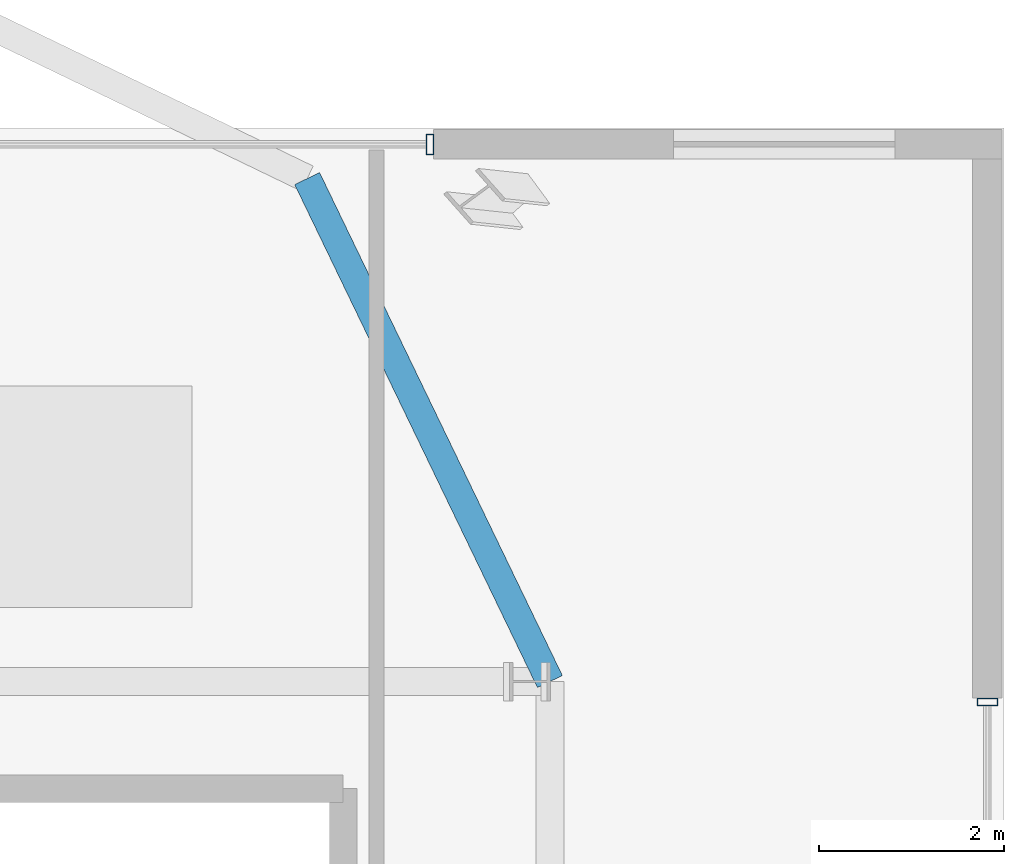
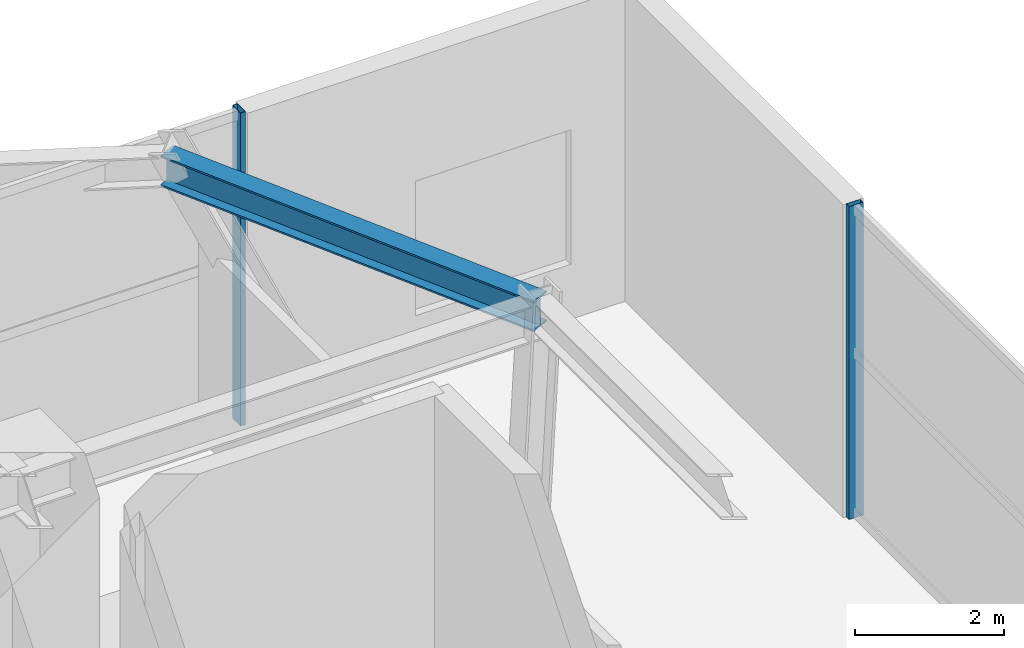
# One storey, part 18 of 29: 2 members, 1 beam, 2 elements without a shape of their own.
"""IFC4 building model written with IfcOpenShell, lengths in metres."""

from ifc_helpers import new_model, si_unit, direction, frame, origin, origin_2d, place, context, subcontext, project, spatial, hollow_rectangle, i_section, extrude, source, transform, mapped, material, material_profile, profile_set, type_object, element, aggregate, save


model = new_model("IFC4")

# Units and contexts
model_context = context("Model", 3, precision=1e-05, world=origin(), true_north=direction((0.0, 1.0)))
body_context = subcontext(model_context, "Body", "Model", "MODEL_VIEW")
ifc_project = project(units=[si_unit("LENGTHUNIT", "METRE"), si_unit("AREAUNIT", "SQUARE_METRE"), si_unit("VOLUMEUNIT", "CUBIC_METRE"), si_unit("PLANEANGLEUNIT", "RADIAN"), si_unit("MASSUNIT", "GRAM", prefix="KILO")], contexts=[model_context])

# Site, building, storey
site_placement = place(None, origin())
site = spatial("IfcSite", under=ifc_project, at=site_placement, CompositionType="ELEMENT")
building_placement = place(site_placement, origin())
building = spatial("IfcBuilding", under=site, at=building_placement, Name="Nahalor Promenade Grand Hotel", CompositionType="ELEMENT")
storey_placement = place(building_placement, frame((0.0, 0.0, 27.0)))
storey = spatial("IfcBuildingStorey", under=building, at=storey_placement, Name="L05", CompositionType="ELEMENT", Elevation=27.0)

# Beam
ifc_material_1 = material(Name="Steel S355JR", Category="steel")
ifc_material_profile_1 = material_profile(ifc_material_1, i_section(OverallWidth=0.3, OverallDepth=0.5, WebThickness=0.0145, FlangeThickness=0.028, at=origin_2d()), Name="HEB 500")
ifc_profile_set_1 = profile_set([ifc_material_profile_1], Name="Steel S355JR")
beam_type = type_object("IfcBeamType", Name="Beam-Spandrel-HEB500", PredefinedType="SPANDREL", material=ifc_profile_set_1)
shared_shape_1 = source(origin(), body_context, "Body", "SweptSolid", [
    extrude(i_section(OverallWidth=0.3, OverallDepth=0.5, WebThickness=0.0145, FlangeThickness=0.028, at=origin_2d()), origin(), (0.0, 0.0, 1.0), 6.051513671875),
])
beam_placement = place(storey_placement, frame((22.449951171875, 22.449951171875, 4.8701171875), z_axis=(0.434630596492, -0.900608818852, 0.0), x_axis=(0.900608818852, 0.434630596492, 0.0)))
element("IfcBeam", 1, at=beam_placement, inside=storey, type_object=beam_type, Name="BM-L05-SPC-NE-2", PredefinedType="SPANDREL", context=body_context, shape_type="MappedRepresentation", body=[
    mapped(shared_shape_1, transform((0.0, 0.0, 0.0), scale=1.0)),
])

# Curtain wall, member
ifc_material_2 = material(Name="Anodised Bronze Aluminium EN AW-6063 T6", Category="aluminium")
curtain_wall_type = type_object("IfcCurtainWallType", Name="CW1 Waterfront Podium Bronze Arcade Curtain Wall", PredefinedType="USERDEFINED", material=ifc_material_2)
curtain_wall_1_placement = place(storey_placement, origin())
curtain_wall_1 = element("IfcCurtainWall", 2, at=curtain_wall_1_placement, inside=storey, type_object=curtain_wall_type, Name="L05 Curtain Wall CW-L05-N", ObjectType="UNITISED_CURTAIN_WALL", PredefinedType="USERDEFINED")
ifc_material_profile_2 = material_profile(ifc_material_2, hollow_rectangle(XDim=0.08, YDim=0.22, WallThickness=0.005, at=origin_2d()), Name="CWM 80x220x5")
ifc_profile_set_2 = profile_set([ifc_material_profile_2], Name="Anodised Bronze Aluminium EN AW-6063 T6")
member_type = type_object("IfcMemberType", Name="CWM1 Podium Bronze Mullion 80x220", PredefinedType="MULLION", material=ifc_profile_set_2)
shared_shape_2 = source(origin(), body_context, "Body", "SweptSolid", [
    extrude(hollow_rectangle(XDim=0.08, YDim=0.22, WallThickness=0.005, at=origin_2d()), origin(), (0.0, 0.0, 1.0), 5.1201171875),
])
member_1_placement = place(storey_placement, frame((23.780029296875, 22.820068359375, 0.0), z_axis=(0.0, 0.0, 1.0), x_axis=(1.0, 0.0, 0.0)))
member_1 = element("IfcMember", 3, at=member_1_placement, type_object=member_type, Name="CW-L05-N Mullion 4", PredefinedType="MULLION", context=body_context, shape_type="MappedRepresentation", body=[
    mapped(shared_shape_2, transform((0.0, 0.0, 0.0), scale=1.0)),
])
aggregate(curtain_wall_1, [member_1])

curtain_wall_2_placement = place(storey_placement, origin())
curtain_wall_2 = element("IfcCurtainWall", 4, at=curtain_wall_2_placement, inside=storey, type_object=curtain_wall_type, Name="L05 Curtain Wall CW-L05-E", ObjectType="UNITISED_CURTAIN_WALL", PredefinedType="USERDEFINED")
member_2_placement = place(storey_placement, frame((29.820068359375, 16.780029296875, 0.0), z_axis=(0.0, 0.0, 1.0), x_axis=(0.0, 1.0, 0.0)))
member_2 = element("IfcMember", 5, at=member_2_placement, type_object=member_type, Name="CW-L05-E Mullion 3", PredefinedType="MULLION", context=body_context, shape_type="MappedRepresentation", body=[
    mapped(shared_shape_2, transform((0.0, 0.0, 0.0), scale=1.0)),
])
aggregate(curtain_wall_2, [member_2])

save(model, "model.ifc")
